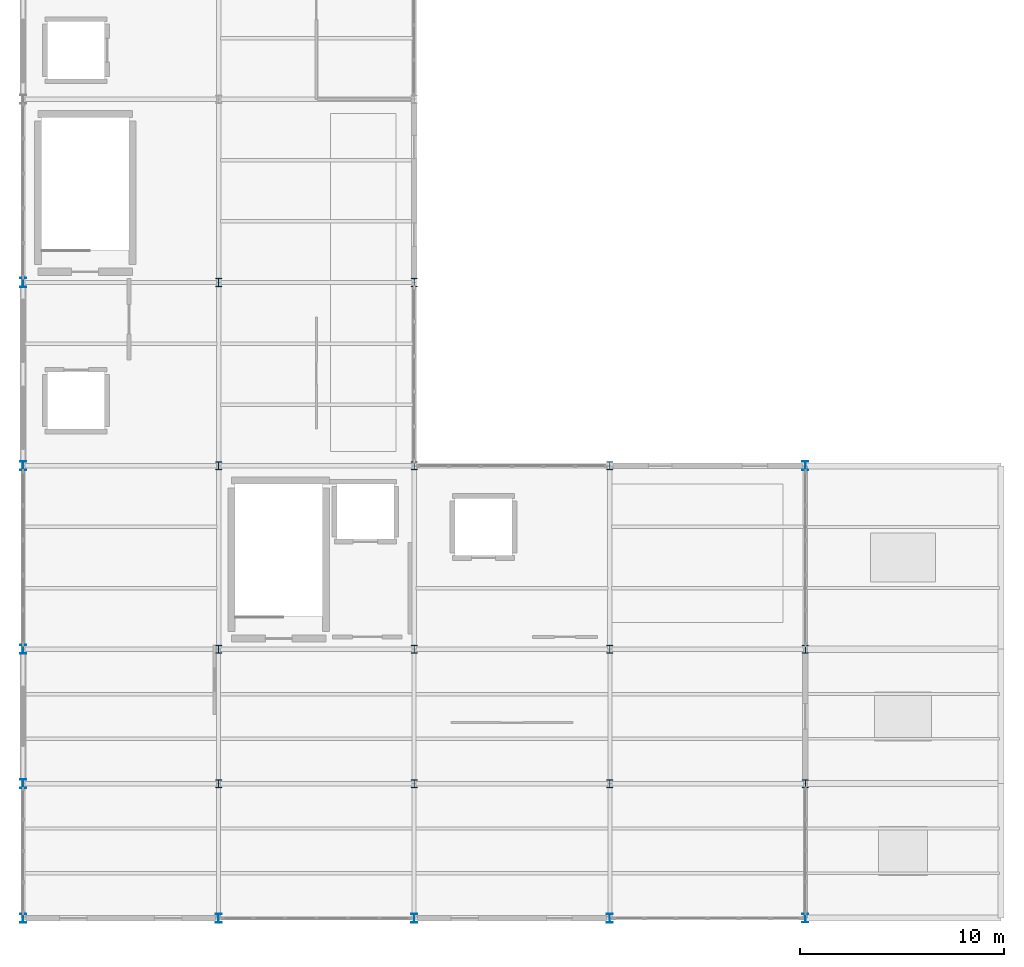
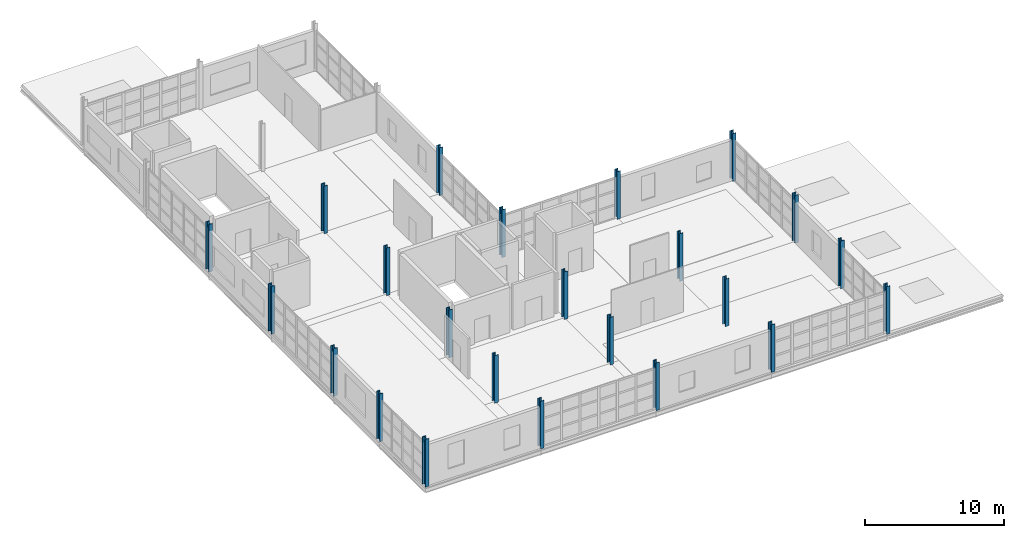
# One storey, part 1 of 15: 23 columns.
"""IFC4 building model written with IfcOpenShell, lengths in metres."""

from ifc_helpers import new_model, si_unit, direction, frame, origin, origin_2d, place, context, subcontext, project, spatial, i_section, extrude, material, material_profile, profile_set, type_object, element, save


model = new_model("IFC4")

# Units and contexts
model_context = context("Model", 3, precision=1e-05, world=origin(), true_north=direction((0.0, 1.0)))
body_context = subcontext(model_context, "Body", "Model", "MODEL_VIEW")
ifc_project = project(units=[si_unit("LENGTHUNIT", "METRE"), si_unit("AREAUNIT", "SQUARE_METRE"), si_unit("VOLUMEUNIT", "CUBIC_METRE"), si_unit("PLANEANGLEUNIT", "RADIAN"), si_unit("MASSUNIT", "GRAM", prefix="KILO")], contexts=[model_context])

# Site, building, storey
site_placement = place(None, origin())
site = spatial("IfcSite", under=ifc_project, at=site_placement, CompositionType="ELEMENT")
building_placement = place(site_placement, origin())
building = spatial("IfcBuilding", under=site, at=building_placement, Name="Zarnetskaya Central Station", CompositionType="ELEMENT")
storey_placement = place(building_placement, frame((0.0, 0.0, 22.800048828125)))
storey = spatial("IfcBuildingStorey", under=building, at=storey_placement, Name="L05", CompositionType="ELEMENT", Elevation=22.800048828125)

# Columns
ifc_material = material(Name="Steel S355", Category="steel")
ifc_material_profile_1 = material_profile(ifc_material, i_section(OverallWidth=0.300048828125, OverallDepth=0.449951171875, WebThickness=0.013916015625, FlangeThickness=0.02587890625, FilletRadius=0.027099609375, at=origin_2d()), Name="HEB 450")
ifc_profile_set_1 = profile_set([ifc_material_profile_1], Name="Steel S355")
column_type_1 = type_object("IfcColumnType", Name="COL-V5-TOP-E", PredefinedType="COLUMN", material=ifc_profile_set_1)
for number, where, z_axis, x_axis, name in (
    (1, (0.0, 0.0, 0.0), (0.0, 0.0, 1.0), (1.0, 0.0, 0.0), "Column A1 L05"),
    (2, (0.0, 6.60009765625, 0.0), (0.0, 0.0, 1.0), (1.0, 0.0, 0.0), "Column A2 L05"),
    (3, (0.0, 13.199951171875, 0.0), (0.0, 0.0, 1.0), (1.0, 0.0, 0.0), "Column A3 L05"),
    (4, (0.0, 22.199951171875, 0.0), (0.0, 0.0, 1.0), (1.0, 0.0, 0.0), "Column A4 L05"),
    (5, (0.0, 31.199951171875, 0.0), (0.0, 0.0, 1.0), (1.0, 0.0, 0.0), "Column A5 L05"),
    (6, (9.60009765625, 0.0, 0.0), (0.0, 0.0, 1.0), (1.0, 0.0, 0.0), "Column B1 L05"),
    (7, (19.199951171875, 0.0, 0.0), (0.0, 0.0, 1.0), (1.0, 0.0, 0.0), "Column C1 L05"),
    (8, (28.800048828125, 0.0, 0.0), (0.0, 0.0, 1.0), (1.0, 0.0, 0.0), "Column D1 L05"),
    (9, (38.39990234375, 0.0, 0.0), (0.0, 0.0, 1.0), (1.0, 0.0, 0.0), "Column E1 L05"),
    (10, (38.39990234375, 22.199951171875, 0.0), (0.0, 0.0, 1.0), (1.0, 0.0, 0.0), "Column E4 L05"),
):
    element("IfcColumn", number, at=place(storey_placement, frame(where, z_axis=z_axis, x_axis=x_axis)), inside=storey, type_object=column_type_1, Name=name, PredefinedType="COLUMN", context=body_context, shape_type="SweptSolid", body=[
        extrude(i_section(OverallWidth=0.300048828125, OverallDepth=0.449951171875, WebThickness=0.013916015625, FlangeThickness=0.02587890625, FilletRadius=0.027099609375, at=origin_2d()), origin(), (0.0, 0.0, 1.0), 4.199951171875),
    ])
ifc_material_profile_2 = material_profile(ifc_material, i_section(OverallWidth=0.300048828125, OverallDepth=0.39990234375, WebThickness=0.013427734375, FlangeThickness=0.02392578125, FilletRadius=0.027099609375, at=origin_2d()), Name="HEB 400")
ifc_profile_set_2 = profile_set([ifc_material_profile_2], Name="Steel S355")
column_type_2 = type_object("IfcColumnType", Name="COL-V5-TOP-I", PredefinedType="COLUMN", material=ifc_profile_set_2)
for number, where, z_axis, x_axis, name in (
    (11, (9.60009765625, 6.60009765625, 0.0), (0.0, 0.0, 1.0), (1.0, 0.0, 0.0), "Column B2 L05"),
    (12, (9.60009765625, 13.199951171875, 0.0), (0.0, 0.0, 1.0), (1.0, 0.0, 0.0), "Column B3 L05"),
    (13, (9.60009765625, 22.199951171875, 0.0), (0.0, 0.0, 1.0), (1.0, 0.0, 0.0), "Column B4 L05"),
    (14, (9.60009765625, 31.199951171875, 0.0), (0.0, 0.0, 1.0), (1.0, 0.0, 0.0), "Column B5 L05"),
    (15, (19.199951171875, 6.60009765625, 0.0), (0.0, 0.0, 1.0), (1.0, 0.0, 0.0), "Column C2 L05"),
    (16, (19.199951171875, 13.199951171875, 0.0), (0.0, 0.0, 1.0), (1.0, 0.0, 0.0), "Column C3 L05"),
    (17, (19.199951171875, 22.199951171875, 0.0), (0.0, 0.0, 1.0), (1.0, 0.0, 0.0), "Column C4 L05"),
    (18, (19.199951171875, 31.199951171875, 0.0), (0.0, 0.0, 1.0), (1.0, 0.0, 0.0), "Column C5 L05"),
    (19, (28.800048828125, 6.60009765625, 0.0), (0.0, 0.0, 1.0), (1.0, 0.0, 0.0), "Column D2 L05"),
    (20, (28.800048828125, 13.199951171875, 0.0), (0.0, 0.0, 1.0), (1.0, 0.0, 0.0), "Column D3 L05"),
    (21, (28.800048828125, 22.199951171875, 0.0), (0.0, 0.0, 1.0), (1.0, 0.0, 0.0), "Column D4 L05"),
    (22, (38.39990234375, 6.60009765625, 0.0), (0.0, 0.0, 1.0), (1.0, 0.0, 0.0), "Column E2 L05"),
    (23, (38.39990234375, 13.199951171875, 0.0), (0.0, 0.0, 1.0), (1.0, 0.0, 0.0), "Column E3 L05"),
):
    element("IfcColumn", number, at=place(storey_placement, frame(where, z_axis=z_axis, x_axis=x_axis)), inside=storey, type_object=column_type_2, Name=name, PredefinedType="COLUMN", context=body_context, shape_type="SweptSolid", body=[
        extrude(i_section(OverallWidth=0.300048828125, OverallDepth=0.39990234375, WebThickness=0.013427734375, FlangeThickness=0.02392578125, FilletRadius=0.027099609375, at=origin_2d()), origin(), (0.0, 0.0, 1.0), 4.199951171875),
    ])

save(model, "model.ifc")
